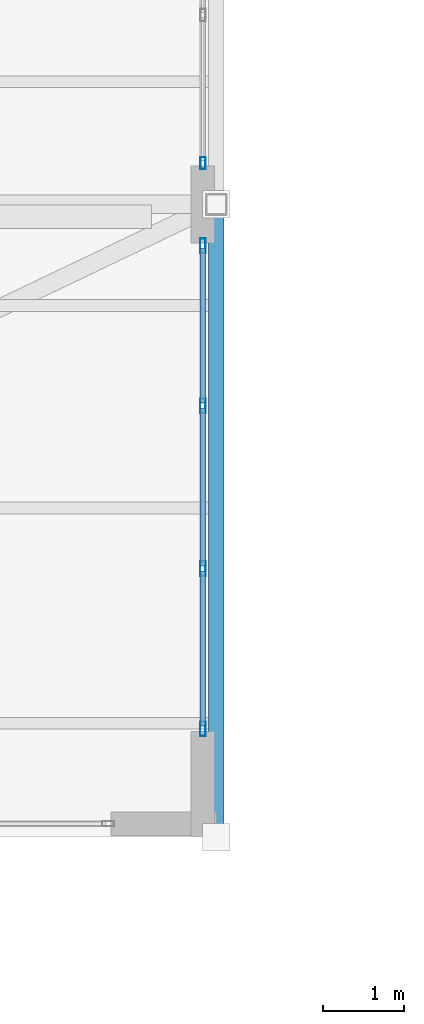
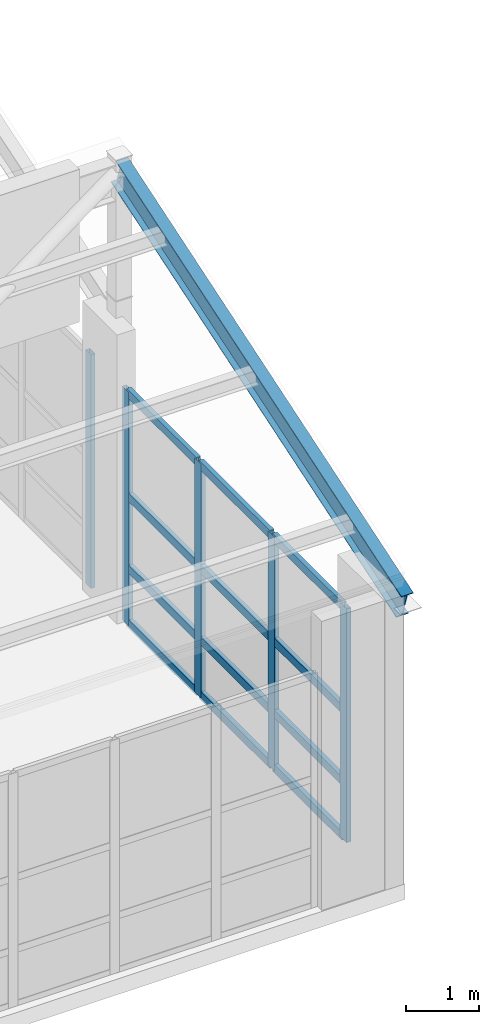
# One storey, part 7 of 34: 17 members, 1 beam, 2 elements without a shape of their own.
"""IFC4 building model written with IfcOpenShell, lengths in metres."""

from ifc_helpers import new_model, si_unit, direction, frame, origin, origin_2d, place, context, subcontext, project, spatial, hollow_rectangle, i_section, extrude, material, layer, layer_set, material_profile, profile_set, type_object, element, aggregate, save


model = new_model("IFC4")

# Units and contexts
model_context = context("Model", 3, precision=1e-05, world=origin(), true_north=direction((0.0, 1.0)))
body_context = subcontext(model_context, "Body", "Model", "MODEL_VIEW")
ifc_project = project(units=[si_unit("LENGTHUNIT", "METRE"), si_unit("AREAUNIT", "SQUARE_METRE"), si_unit("VOLUMEUNIT", "CUBIC_METRE"), si_unit("PLANEANGLEUNIT", "RADIAN"), si_unit("MASSUNIT", "GRAM", prefix="KILO")], contexts=[model_context])

# Site, building, storey
site_placement = place(None, origin())
site = spatial("IfcSite", under=ifc_project, at=site_placement, CompositionType="ELEMENT")
building_placement = place(site_placement, origin())
building = spatial("IfcBuilding", under=site, at=building_placement, Name="Quendrovan Civic Courthouse", CompositionType="ELEMENT")
storey_placement = place(building_placement, frame((0.0, 0.0, 25.5)))
storey = spatial("IfcBuildingStorey", under=building, at=storey_placement, Name="L06", CompositionType="ELEMENT", Elevation=25.5)

# Beam
ifc_material_1 = material(Name="Steel ASTM A992 Grade 50", Category="steel")
ifc_material_profile_1 = material_profile(ifc_material_1, i_section(OverallWidth=0.18994140625, OverallDepth=0.45703125, WebThickness=0.009033203125, FlangeThickness=0.014404296875, at=origin_2d()), Name="W460x74")
ifc_profile_set_1 = profile_set([ifc_material_profile_1], Name="Steel ASTM A992 Grade 50")
beam_type = type_object("IfcBeamType", Name="BM-STL-W460", PredefinedType="BEAM", material=ifc_profile_set_1)
beam_placement = place(storey_placement, frame((16.800048828125, 23.39990234375, 4.651611328125), z_axis=(0.0, 0.951064034387, 0.308993855111), x_axis=(-1.0, 0.0, 0.0)))
element("IfcBeam", 1, at=beam_placement, inside=storey, type_object=beam_type, Name="Sawtooth Raking Steel Rafter B1-E", PredefinedType="BEAM", context=body_context, shape_type="SweptSolid", body=[
    extrude(i_section(OverallWidth=0.18994140625, OverallDepth=0.45703125, WebThickness=0.009033203125, FlangeThickness=0.014404296875, at=origin_2d()), origin(), (0.0, 0.0, 1.0), 8.201416015625),
])

# Curtain wall, members
ifc_material_2 = material(Name="Bronze anodised aluminium and low-E glass", Category="aluminium")
ifc_layer_1 = layer(ifc_material_2, 0.179931640625, Name="Bronze anodised aluminium and low-E glass")
ifc_layer_set_1 = layer_set([ifc_layer_1], Name="Bronze anodised aluminium and low-E glass")
curtain_wall_type_1 = type_object("IfcCurtainWallType", Name="CW-U60x39", PredefinedType="USERDEFINED", material=ifc_layer_set_1)
curtain_wall_1_placement = place(storey_placement, origin())
curtain_wall_1 = element("IfcCurtainWall", 2, at=curtain_wall_1_placement, inside=storey, type_object=curtain_wall_type_1, Name="L06 Unitised Hurricane Curtain Wall CW-214", ObjectType="UNITISED CURTAIN WALL", PredefinedType="USERDEFINED")
ifc_material_3 = material(Name="Bronze anodised aluminium", Category="aluminium")
ifc_material_profile_2 = material_profile(ifc_material_3, hollow_rectangle(XDim=0.070068359375, YDim=0.179931640625, WallThickness=0.00390625, at=origin_2d()), Name="CW-MULL-70x180")
ifc_profile_set_2 = profile_set([ifc_material_profile_2], Name="Bronze anodised aluminium")
member_type_1 = type_object("IfcMemberType", Name="CW-MULL-A", PredefinedType="MULLION", material=ifc_profile_set_2)
member_1_placement = place(storey_placement, frame((16.635009765625, 30.68994140625, 0.0), z_axis=(0.0, 0.0, 1.0), x_axis=(1.0, 0.0, 0.0)))
member_1 = element("IfcMember", 3, at=member_1_placement, type_object=member_type_1, Name="CW-214 mullion 1", PredefinedType="MULLION", context=body_context, shape_type="SweptSolid", body=[
    extrude(hollow_rectangle(XDim=0.070068359375, YDim=0.179931640625, WallThickness=0.00390625, at=origin_2d()), origin(), (0.0, 0.0, 1.0), 3.89990234375),
])
member_2_placement = place(storey_placement, frame((16.635009765625, 28.716552734375, 0.0), z_axis=(0.0, 0.0, 1.0), x_axis=(1.0, 0.0, 0.0)))
member_2 = element("IfcMember", 4, at=member_2_placement, type_object=member_type_1, Name="CW-214 mullion 2", PredefinedType="MULLION", context=body_context, shape_type="SweptSolid", body=[
    extrude(hollow_rectangle(XDim=0.070068359375, YDim=0.179931640625, WallThickness=0.00390625, at=origin_2d()), origin(), (0.0, 0.0, 1.0), 3.89990234375),
])
member_3_placement = place(storey_placement, frame((16.635009765625, 26.708251953125, 0.0), z_axis=(0.0, 0.0, 1.0), x_axis=(1.0, 0.0, 0.0)))
member_3 = element("IfcMember", 5, at=member_3_placement, type_object=member_type_1, Name="CW-214 mullion 3", PredefinedType="MULLION", context=body_context, shape_type="SweptSolid", body=[
    extrude(hollow_rectangle(XDim=0.070068359375, YDim=0.179931640625, WallThickness=0.00390625, at=origin_2d()), origin(), (0.0, 0.0, 1.0), 3.89990234375),
])
member_4_placement = place(storey_placement, frame((16.635009765625, 24.735107421875, 0.0), z_axis=(0.0, 0.0, 1.0), x_axis=(1.0, 0.0, 0.0)))
member_4 = element("IfcMember", 6, at=member_4_placement, type_object=member_type_1, Name="CW-214 mullion 4", PredefinedType="MULLION", context=body_context, shape_type="SweptSolid", body=[
    extrude(hollow_rectangle(XDim=0.070068359375, YDim=0.179931640625, WallThickness=0.00390625, at=origin_2d()), origin(), (0.0, 0.0, 1.0), 3.89990234375),
])

# Curtain wall, member
ifc_layer_2 = layer(ifc_material_2, 0.179931640625, Name="Bronze anodised aluminium and low-E glass")
ifc_layer_set_2 = layer_set([ifc_layer_2], Name="Bronze anodised aluminium and low-E glass")
curtain_wall_type_2 = type_object("IfcCurtainWallType", Name="CW-U74x39", PredefinedType="USERDEFINED", material=ifc_layer_set_2)
curtain_wall_2_placement = place(storey_placement, origin())
curtain_wall_2 = element("IfcCurtainWall", 7, at=curtain_wall_2_placement, inside=storey, type_object=curtain_wall_type_2, Name="L06 Unitised Hurricane Curtain Wall CW-213", ObjectType="UNITISED CURTAIN WALL", PredefinedType="USERDEFINED")
ifc_material_profile_3 = material_profile(ifc_material_3, hollow_rectangle(XDim=0.06494140625, YDim=0.14990234375, WallThickness=0.00390625, at=origin_2d()), Name="CW-MULL-65x150")
ifc_profile_set_3 = profile_set([ifc_material_profile_3], Name="Bronze anodised aluminium")
member_type_2 = type_object("IfcMemberType", Name="CW-MULL-B", PredefinedType="MULLION", material=ifc_profile_set_3)
member_5_placement = place(storey_placement, frame((16.635009765625, 31.70751953125, 0.0), z_axis=(0.0, 0.0, 1.0), x_axis=(1.0, 0.0, 0.0)))
member_5 = element("IfcMember", 8, at=member_5_placement, type_object=member_type_2, Name="CW-213 mullion 5", PredefinedType="MULLION", context=body_context, shape_type="SweptSolid", body=[
    extrude(hollow_rectangle(XDim=0.06494140625, YDim=0.14990234375, WallThickness=0.00390625, at=origin_2d()), origin(), (0.0, 0.0, 1.0), 3.89990234375),
])
aggregate(curtain_wall_2, [member_5])

# Member
ifc_material_profile_4 = material_profile(ifc_material_3, hollow_rectangle(XDim=0.070068359375, YDim=0.139892578125, WallThickness=0.00390625, at=origin_2d()), Name="CW-TRAN-70x140")
ifc_profile_set_4 = profile_set([ifc_material_profile_4], Name="Bronze anodised aluminium")
member_type_3 = type_object("IfcMemberType", Name="CW-TRAN-A", PredefinedType="USERDEFINED", material=ifc_profile_set_4)
member_6_placement = place(storey_placement, frame((16.635009765625, 30.655029296875, 0.034912109375), z_axis=(0.0, -1.0, 0.0), x_axis=(1.0, 0.0, 0.0)))
member_6 = element("IfcMember", 9, at=member_6_placement, type_object=member_type_3, Name="CW-214 transom 1.1", ObjectType="TRANSOM", PredefinedType="USERDEFINED", context=body_context, shape_type="SweptSolid", body=[
    extrude(hollow_rectangle(XDim=0.070068359375, YDim=0.139892578125, WallThickness=0.00390625, at=origin_2d()), origin(), (0.0, 0.0, 1.0), 1.9033203125),
])

member_7_placement = place(storey_placement, frame((16.635009765625, 30.655029296875, 0.949951171875), z_axis=(0.0, -1.0, 0.0), x_axis=(1.0, 0.0, 0.0)))
member_7 = element("IfcMember", 10, at=member_7_placement, type_object=member_type_3, Name="CW-214 transom 1.2", ObjectType="TRANSOM", PredefinedType="USERDEFINED", context=body_context, shape_type="SweptSolid", body=[
    extrude(hollow_rectangle(XDim=0.070068359375, YDim=0.139892578125, WallThickness=0.00390625, at=origin_2d()), origin(), (0.0, 0.0, 1.0), 1.9033203125),
])

member_8_placement = place(storey_placement, frame((16.635009765625, 30.655029296875, 2.14990234375), z_axis=(0.0, -1.0, 0.0), x_axis=(1.0, 0.0, 0.0)))
member_8 = element("IfcMember", 11, at=member_8_placement, type_object=member_type_3, Name="CW-214 transom 1.3", ObjectType="TRANSOM", PredefinedType="USERDEFINED", context=body_context, shape_type="SweptSolid", body=[
    extrude(hollow_rectangle(XDim=0.070068359375, YDim=0.139892578125, WallThickness=0.00390625, at=origin_2d()), origin(), (0.0, 0.0, 1.0), 1.9033203125),
])

member_9_placement = place(storey_placement, frame((16.635009765625, 30.655029296875, 3.864990234375), z_axis=(0.0, -1.0, 0.0), x_axis=(1.0, 0.0, 0.0)))
member_9 = element("IfcMember", 12, at=member_9_placement, type_object=member_type_3, Name="CW-214 transom 1.4", ObjectType="TRANSOM", PredefinedType="USERDEFINED", context=body_context, shape_type="SweptSolid", body=[
    extrude(hollow_rectangle(XDim=0.070068359375, YDim=0.139892578125, WallThickness=0.00390625, at=origin_2d()), origin(), (0.0, 0.0, 1.0), 1.9033203125),
])

member_10_placement = place(storey_placement, frame((16.635009765625, 28.681640625, 0.034912109375), z_axis=(0.0, -1.0, 0.0), x_axis=(1.0, 0.0, 0.0)))
member_10 = element("IfcMember", 13, at=member_10_placement, type_object=member_type_3, Name="CW-214 transom 2.1", ObjectType="TRANSOM", PredefinedType="USERDEFINED", context=body_context, shape_type="SweptSolid", body=[
    extrude(hollow_rectangle(XDim=0.070068359375, YDim=0.139892578125, WallThickness=0.00390625, at=origin_2d()), origin(), (0.0, 0.0, 1.0), 1.938232421875),
])

member_11_placement = place(storey_placement, frame((16.635009765625, 28.681640625, 0.949951171875), z_axis=(0.0, -1.0, 0.0), x_axis=(1.0, 0.0, 0.0)))
member_11 = element("IfcMember", 14, at=member_11_placement, type_object=member_type_3, Name="CW-214 transom 2.2", ObjectType="TRANSOM", PredefinedType="USERDEFINED", context=body_context, shape_type="SweptSolid", body=[
    extrude(hollow_rectangle(XDim=0.070068359375, YDim=0.139892578125, WallThickness=0.00390625, at=origin_2d()), origin(), (0.0, 0.0, 1.0), 1.938232421875),
])

member_12_placement = place(storey_placement, frame((16.635009765625, 28.681640625, 2.14990234375), z_axis=(0.0, -1.0, 0.0), x_axis=(1.0, 0.0, 0.0)))
member_12 = element("IfcMember", 15, at=member_12_placement, type_object=member_type_3, Name="CW-214 transom 2.3", ObjectType="TRANSOM", PredefinedType="USERDEFINED", context=body_context, shape_type="SweptSolid", body=[
    extrude(hollow_rectangle(XDim=0.070068359375, YDim=0.139892578125, WallThickness=0.00390625, at=origin_2d()), origin(), (0.0, 0.0, 1.0), 1.938232421875),
])

member_13_placement = place(storey_placement, frame((16.635009765625, 28.681640625, 3.864990234375), z_axis=(0.0, -1.0, 0.0), x_axis=(1.0, 0.0, 0.0)))
member_13 = element("IfcMember", 16, at=member_13_placement, type_object=member_type_3, Name="CW-214 transom 2.4", ObjectType="TRANSOM", PredefinedType="USERDEFINED", context=body_context, shape_type="SweptSolid", body=[
    extrude(hollow_rectangle(XDim=0.070068359375, YDim=0.139892578125, WallThickness=0.00390625, at=origin_2d()), origin(), (0.0, 0.0, 1.0), 1.938232421875),
])

member_14_placement = place(storey_placement, frame((16.635009765625, 26.67333984375, 0.034912109375), z_axis=(0.0, -1.0, 0.0), x_axis=(1.0, 0.0, 0.0)))
member_14 = element("IfcMember", 17, at=member_14_placement, type_object=member_type_3, Name="CW-214 transom 3.1", ObjectType="TRANSOM", PredefinedType="USERDEFINED", context=body_context, shape_type="SweptSolid", body=[
    extrude(hollow_rectangle(XDim=0.070068359375, YDim=0.139892578125, WallThickness=0.00390625, at=origin_2d()), origin(), (0.0, 0.0, 1.0), 1.9033203125),
])

member_15_placement = place(storey_placement, frame((16.635009765625, 26.67333984375, 0.949951171875), z_axis=(0.0, -1.0, 0.0), x_axis=(1.0, 0.0, 0.0)))
member_15 = element("IfcMember", 18, at=member_15_placement, type_object=member_type_3, Name="CW-214 transom 3.2", ObjectType="TRANSOM", PredefinedType="USERDEFINED", context=body_context, shape_type="SweptSolid", body=[
    extrude(hollow_rectangle(XDim=0.070068359375, YDim=0.139892578125, WallThickness=0.00390625, at=origin_2d()), origin(), (0.0, 0.0, 1.0), 1.9033203125),
])

member_16_placement = place(storey_placement, frame((16.635009765625, 26.67333984375, 2.14990234375), z_axis=(0.0, -1.0, 0.0), x_axis=(1.0, 0.0, 0.0)))
member_16 = element("IfcMember", 19, at=member_16_placement, type_object=member_type_3, Name="CW-214 transom 3.3", ObjectType="TRANSOM", PredefinedType="USERDEFINED", context=body_context, shape_type="SweptSolid", body=[
    extrude(hollow_rectangle(XDim=0.070068359375, YDim=0.139892578125, WallThickness=0.00390625, at=origin_2d()), origin(), (0.0, 0.0, 1.0), 1.9033203125),
])

member_17_placement = place(storey_placement, frame((16.635009765625, 26.67333984375, 3.864990234375), z_axis=(0.0, -1.0, 0.0), x_axis=(1.0, 0.0, 0.0)))
member_17 = element("IfcMember", 20, at=member_17_placement, type_object=member_type_3, Name="CW-214 transom 3.4", ObjectType="TRANSOM", PredefinedType="USERDEFINED", context=body_context, shape_type="SweptSolid", body=[
    extrude(hollow_rectangle(XDim=0.070068359375, YDim=0.139892578125, WallThickness=0.00390625, at=origin_2d()), origin(), (0.0, 0.0, 1.0), 1.9033203125),
])

aggregate(curtain_wall_1, [member_1, member_2, member_3, member_4, member_6, member_7, member_8, member_9, member_10, member_11, member_12, member_13, member_14, member_15, member_16, member_17])

save(model, "model.ifc")
